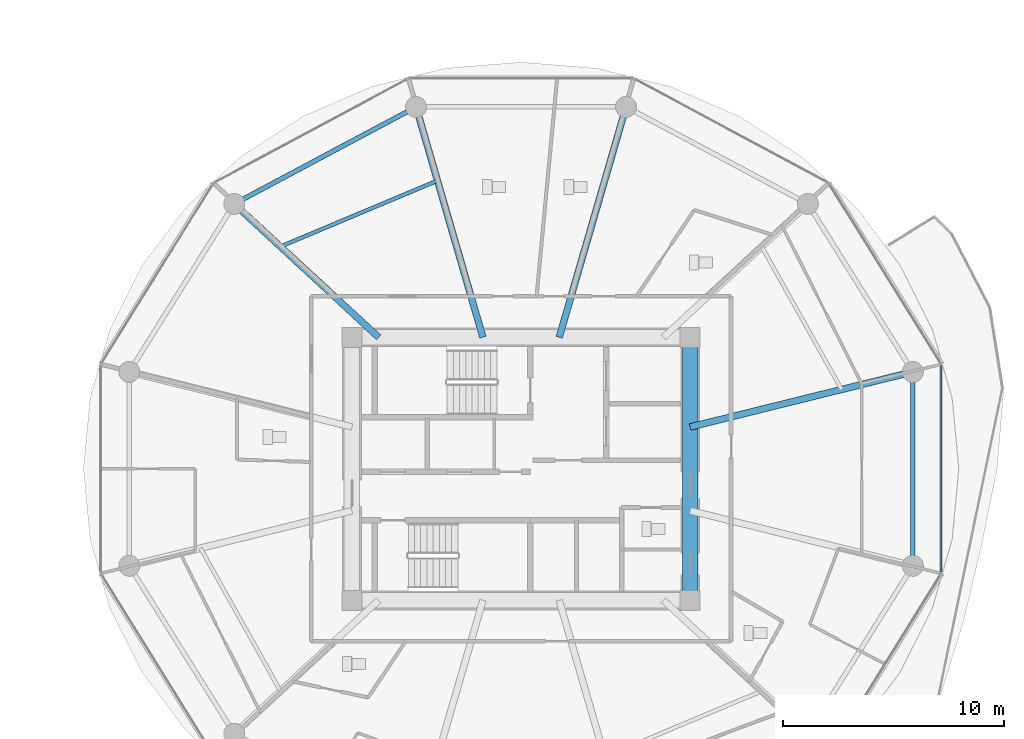
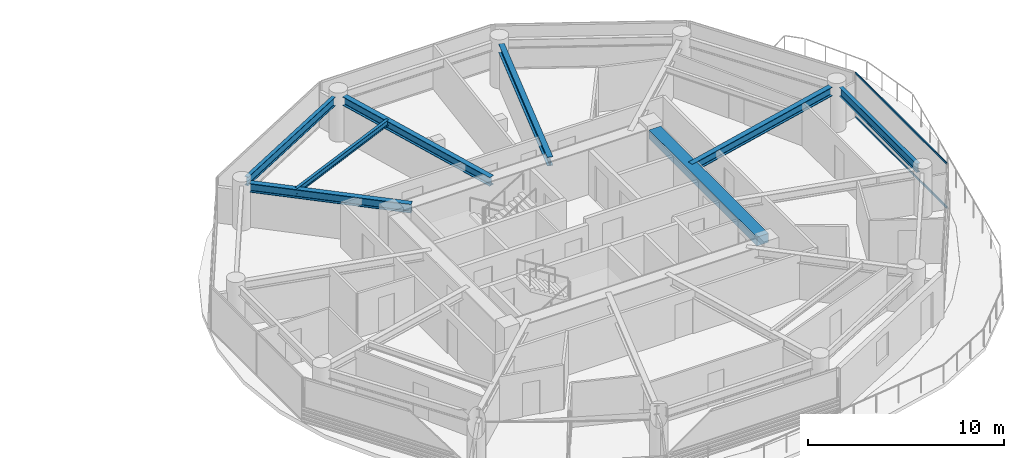
# One storey, part 12 of 27: 8 beams, 2 members, 1 element without a shape of its own.
"""IFC4 building model written with IfcOpenShell, lengths in metres."""

from ifc_helpers import new_model, si_unit, direction, frame, origin, origin_2d, place, context, subcontext, project, spatial, rectangle, i_section, extrude, source, transform, mapped, material, layer, layer_set, material_profile, profile_set, type_object, type_shapes, element, aggregate, save


model = new_model("IFC4")

# Units and contexts
model_context = context("Model", 3, precision=1e-05, world=origin(), true_north=direction((0.0, 1.0)))
body_context = subcontext(model_context, "Body", "Model", "MODEL_VIEW")
ifc_project = project(units=[si_unit("LENGTHUNIT", "METRE"), si_unit("AREAUNIT", "SQUARE_METRE"), si_unit("VOLUMEUNIT", "CUBIC_METRE"), si_unit("PLANEANGLEUNIT", "RADIAN"), si_unit("MASSUNIT", "GRAM", prefix="KILO")], contexts=[model_context])

# Site, building, storey
site_placement = place(None, origin())
site = spatial("IfcSite", under=ifc_project, at=site_placement, CompositionType="ELEMENT")
building_placement = place(site_placement, origin())
building = spatial("IfcBuilding", under=site, at=building_placement, Name="Norrkilde Senior Care Towers", CompositionType="ELEMENT")
storey_placement = place(building_placement, frame((0.0, 0.0, 36.85009765625)))
storey = spatial("IfcBuildingStorey", under=building, at=storey_placement, Name="L10", CompositionType="ELEMENT", Elevation=36.85009765625)

# Beams
ifc_material_1 = material(Name="Concrete C60/75", Category="concrete")
ifc_material_profile_1 = material_profile(ifc_material_1, rectangle(XDim=0.699951171875, YDim=0.550048828125, at=origin_2d()), Name="RC BM 700x550")
ifc_profile_set_1 = profile_set([ifc_material_profile_1], Name="Concrete C60/75")
beam_type_1 = type_object("IfcBeamType", Name="Core Portal Coupling Beam 700x550", PredefinedType="USERDEFINED", material=ifc_profile_set_1)
shared_shape_1 = source(origin(), body_context, "Body", "SweptSolid", [
    extrude(rectangle(XDim=0.699951171875, YDim=0.550048828125, at=origin_2d()), origin(), (0.0, 0.0, 1.0), 11.0400390625),
])
type_shapes(beam_type_1, [shared_shape_1])
beam_1_placement = place(storey_placement, frame((35.64990234375, -5.52001953125, 2.514892578125), z_axis=(0.0, 1.0, 0.0), x_axis=(-1.0, 0.0, 0.0)))
element("IfcBeam", 1, at=beam_1_placement, inside=storey, type_object=beam_type_1, Name="L10 Core E E Coupling Girder", ObjectType="GIRDER", PredefinedType="USERDEFINED", context=body_context, shape_type="MappedRepresentation", body=[
    mapped(shared_shape_1, transform((0.0, 0.0, 0.0), x_axis=(1.0, 0.0, 0.0), y_axis=(0.0, 1.0, 0.0), z_axis=(0.0, 0.0, 1.0), scale=1.0)),
])
ifc_material_2 = material(Name="Steel S355", Category="steel")
ifc_material_profile_2 = material_profile(ifc_material_2, i_section(OverallWidth=0.300048828125, OverallDepth=0.550048828125, WebThickness=0.014892578125, FlangeThickness=0.029052734375, FilletRadius=0.027099609375, at=origin_2d()), Name="HEB 550")
ifc_profile_set_2 = profile_set([ifc_material_profile_2], Name="Steel S355")
beam_type_2 = type_object("IfcBeamType", Name="Radial Floor Beam Z1 HEB550", PredefinedType="BEAM", material=ifc_profile_set_2)
shared_shape_2 = source(origin(), body_context, "Body", "SweptSolid", [
    extrude(i_section(OverallWidth=0.300048828125, OverallDepth=0.550048828125, WebThickness=0.014892578125, FlangeThickness=0.029052734375, FilletRadius=0.027099609375, at=origin_2d()), origin(), (0.0, 0.0, 1.0), 9.94384765625),
])
beam_2_placement = place(storey_placement, frame((35.64990234375, 1.893310546875, 2.514892578125), z_axis=(0.970707425182, 0.240264634718, 0.0), x_axis=(-0.240264634718, 0.970707425182, 0.0)))
element("IfcBeam", 2, at=beam_2_placement, inside=storey, type_object=beam_type_2, Name="L10 Drum E Radial Floor Beam 01", PredefinedType="BEAM", context=body_context, shape_type="MappedRepresentation", body=[
    mapped(shared_shape_2, transform((0.0, 0.0, 0.0), x_axis=(1.0, 0.0, 0.0), y_axis=(0.0, 1.0, 0.0), z_axis=(0.0, 0.0, 1.0), scale=1.0)),
])
ifc_material_profile_3 = material_profile(ifc_material_2, i_section(OverallWidth=0.2099609375, OverallDepth=0.550048828125, WebThickness=0.010986328125, FlangeThickness=0.01708984375, FilletRadius=0.02392578125, at=origin_2d()), Name="IPE 550")
ifc_profile_set_3 = profile_set([ifc_material_profile_3], Name="Steel S355")
beam_type_3 = type_object("IfcBeamType", Name="Perimeter Ring Spandrel Z1 IPE550", PredefinedType="SPANDREL", material=ifc_profile_set_3)
shared_shape_3 = source(origin(), body_context, "Body", "SweptSolid", [
    extrude(i_section(OverallWidth=0.2099609375, OverallDepth=0.550048828125, WebThickness=0.010986328125, FlangeThickness=0.01708984375, FilletRadius=0.02392578125, at=origin_2d()), origin(), (0.0, 0.0, 1.0), 8.452880859375),
])
beam_3_placement = place(storey_placement, frame((22.866943359375, 16.167724609375, 2.514892578125), z_axis=(-0.882368931134, -0.470558252898, 0.0), x_axis=(0.470558252898, -0.882368931134, 0.0)))
element("IfcBeam", 3, at=beam_3_placement, inside=storey, type_object=beam_type_3, Name="L10 Drum E Perimeter Spandrel 04", PredefinedType="SPANDREL", context=body_context, shape_type="MappedRepresentation", body=[
    mapped(shared_shape_3, transform((0.0, 0.0, 0.0), x_axis=(1.0, 0.0, 0.0), y_axis=(0.0, 1.0, 0.0), z_axis=(0.0, 0.0, 1.0), scale=1.0)),
])
shared_shape_4 = source(origin(), body_context, "Body", "SweptSolid", [
    extrude(i_section(OverallWidth=0.300048828125, OverallDepth=0.550048828125, WebThickness=0.014892578125, FlangeThickness=0.029052734375, FilletRadius=0.027099609375, at=origin_2d()), origin(), (0.0, 0.0, 1.0), 8.459716796875),
])
beam_4_placement = place(storey_placement, frame((21.55859375, 5.949951171875, 2.514892578125), z_axis=(-0.734573269108, 0.678529374686, 0.0), x_axis=(-0.678529374686, -0.734573269108, 0.0)))
element("IfcBeam", 4, at=beam_4_placement, inside=storey, type_object=beam_type_2, Name="L10 Drum E Radial Floor Beam 05", PredefinedType="BEAM", context=body_context, shape_type="MappedRepresentation", body=[
    mapped(shared_shape_4, transform((0.0, 0.0, 0.0), x_axis=(1.0, 0.0, 0.0), y_axis=(0.0, 1.0, 0.0), z_axis=(0.0, 0.0, 1.0), scale=1.0)),
])
shared_shape_5 = source(origin(), body_context, "Body", "SweptSolid", [
    extrude(i_section(OverallWidth=0.300048828125, OverallDepth=0.550048828125, WebThickness=0.014892578125, FlangeThickness=0.029052734375, FilletRadius=0.027099609375, at=origin_2d()), origin(), (0.0, 0.0, 1.0), 10.4169921875),
])
type_shapes(beam_type_2, [shared_shape_2, shared_shape_4, shared_shape_5])
for number, where, z_axis, x_axis, name in (
    (5, (29.72607421875, 5.949951171875, 2.514892578125), (0.278591250785, 0.960409764104, 0.0), (-0.960409764104, 0.278591250785, 0.0), "L10 Drum E Radial Floor Beam 03"),
    (6, (26.27392578125, 5.949951171875, 2.514892578125), (-0.278591250785, 0.960409764104, 0.0), (-0.960409764104, -0.278591250785, 0.0), "L10 Drum E Radial Floor Beam 04"),
):
    element("IfcBeam", number, at=place(storey_placement, frame(where, z_axis=z_axis, x_axis=x_axis)), inside=storey, type_object=beam_type_2, Name=name, PredefinedType="BEAM", context=body_context, shape_type="MappedRepresentation", body=[
        mapped(shared_shape_5, transform((0.0, 0.0, 0.0), x_axis=(1.0, 0.0, 0.0), y_axis=(0.0, 1.0, 0.0), z_axis=(0.0, 0.0, 1.0), scale=1.0)),
    ])
shared_shape_6 = source(origin(), body_context, "Body", "SweptSolid", [
    extrude(i_section(OverallWidth=0.2099609375, OverallDepth=0.550048828125, WebThickness=0.010986328125, FlangeThickness=0.01708984375, FilletRadius=0.02392578125, at=origin_2d()), origin(), (0.0, 0.0, 1.0), 7.90380859375),
])
type_shapes(beam_type_3, [shared_shape_3, shared_shape_6])
beam_5_placement = place(storey_placement, frame((45.724853515625, -3.951904296875, 2.514892578125), z_axis=(0.0, 1.0, 0.0), x_axis=(-1.0, 0.0, 0.0)))
element("IfcBeam", 7, at=beam_5_placement, inside=storey, type_object=beam_type_3, Name="L10 Drum E Perimeter Spandrel 12", PredefinedType="SPANDREL", context=body_context, shape_type="MappedRepresentation", body=[
    mapped(shared_shape_6, transform((0.0, 0.0, 0.0), x_axis=(1.0, 0.0, 0.0), y_axis=(0.0, 1.0, 0.0), z_axis=(0.0, 0.0, 1.0), scale=1.0)),
])
ifc_material_profile_4 = material_profile(ifc_material_2, i_section(OverallWidth=0.169921875, OverallDepth=0.360107421875, WebThickness=0.008056640625, FlangeThickness=0.0126953125, FilletRadius=0.01806640625, at=origin_2d()), Name="IPE 360")
ifc_profile_set_4 = profile_set([ifc_material_profile_4], Name="Steel S355")
beam_type_4 = type_object("IfcBeamType", Name="Secondary Floor Joist IPE360", PredefinedType="JOIST", material=ifc_profile_set_4)
shared_shape_7 = source(origin(), body_context, "Body", "SweptSolid", [
    extrude(i_section(OverallWidth=0.169921875, OverallDepth=0.360107421875, WebThickness=0.008056640625, FlangeThickness=0.0126953125, FilletRadius=0.01806640625, at=origin_2d()), origin(), (0.0, 0.0, 1.0), 7.703857421875),
])
type_shapes(beam_type_4, [shared_shape_7])
beam_6_placement = place(storey_placement, frame((24.21826171875, 13.037353515625, 2.60986328125), z_axis=(-0.921982784465, -0.387230868023, 0.0), x_axis=(0.387230868023, -0.921982784465, 0.0)))
element("IfcBeam", 8, at=beam_6_placement, inside=storey, type_object=beam_type_4, Name="L10 Drum E Secondary Floor Joist 2", PredefinedType="JOIST", context=body_context, shape_type="MappedRepresentation", body=[
    mapped(shared_shape_7, transform((0.0, 0.0, 0.0), x_axis=(1.0, 0.0, 0.0), y_axis=(0.0, 1.0, 0.0), z_axis=(0.0, 0.0, 1.0), scale=1.0)),
])

# Curtain wall, members
ifc_material_3 = material(Name="Triple Low-E Insulated Glazing", Category="glass")
ifc_layer = layer(ifc_material_3, 0.199951171875)
ifc_layer_set = layer_set([ifc_layer], Name="Triple Low-E Insulated Glazing")
curtain_wall_type = type_object("IfcCurtainWallType", Name="CW2 Zone 1 Memory Care Curtain Wall", PredefinedType="NOTDEFINED", material=ifc_layer_set)
curtain_wall_placement = place(storey_placement, origin())
curtain_wall = element("IfcCurtainWall", 9, at=curtain_wall_placement, inside=storey, type_object=curtain_wall_type, Name="L10 Drum E Curtain Wall 11", PredefinedType="NOTDEFINED")
ifc_material_4 = material(Name="Anodised Aluminium", Category="aluminium")
ifc_material_profile_5 = material_profile(ifc_material_4, rectangle(XDim=0.06005859375, YDim=0.1201171875, at=origin_2d()), Name="ALU TRAN 60x120")
ifc_profile_set_5 = profile_set([ifc_material_profile_5], Name="Anodised Aluminium")
member_type = type_object("IfcMemberType", Name="Curtain Wall Transom Typical 60x120", PredefinedType="USERDEFINED", material=ifc_profile_set_5)
shared_shape_8 = source(origin(), body_context, "Body", "SweptSolid", [
    extrude(rectangle(XDim=0.06005859375, YDim=0.1201171875, at=origin_2d()), origin(), (0.0, 0.0, 1.0), 9.33251953125),
])
type_shapes(member_type, [shared_shape_8])
member_1_placement = place(storey_placement, frame((47.009521484375, 4.666259765625, 0.02978515625), z_axis=(0.0, -1.0, 0.0), x_axis=(1.0, 0.0, 0.0)))
member_1 = element("IfcMember", 10, at=member_1_placement, type_object=member_type, Name="CW-2 transom 1.1", ObjectType="TRANSOM", PredefinedType="USERDEFINED", context=body_context, shape_type="MappedRepresentation", body=[
    mapped(shared_shape_8, transform((0.0, 0.0, 0.0), x_axis=(1.0, 0.0, 0.0), y_axis=(0.0, 1.0, 0.0), z_axis=(0.0, 0.0, 1.0), scale=1.0)),
])
member_2_placement = place(storey_placement, frame((47.009521484375, 4.666259765625, 2.760009765625), z_axis=(0.0, -1.0, 0.0), x_axis=(1.0, 0.0, 0.0)))
member_2 = element("IfcMember", 11, at=member_2_placement, type_object=member_type, Name="CW-2 transom 1.2", ObjectType="TRANSOM", PredefinedType="USERDEFINED", context=body_context, shape_type="MappedRepresentation", body=[
    mapped(shared_shape_8, transform((0.0, 0.0, 0.0), x_axis=(1.0, 0.0, 0.0), y_axis=(0.0, 1.0, 0.0), z_axis=(0.0, 0.0, 1.0), scale=1.0)),
])
aggregate(curtain_wall, [member_1, member_2])

save(model, "model.ifc")
